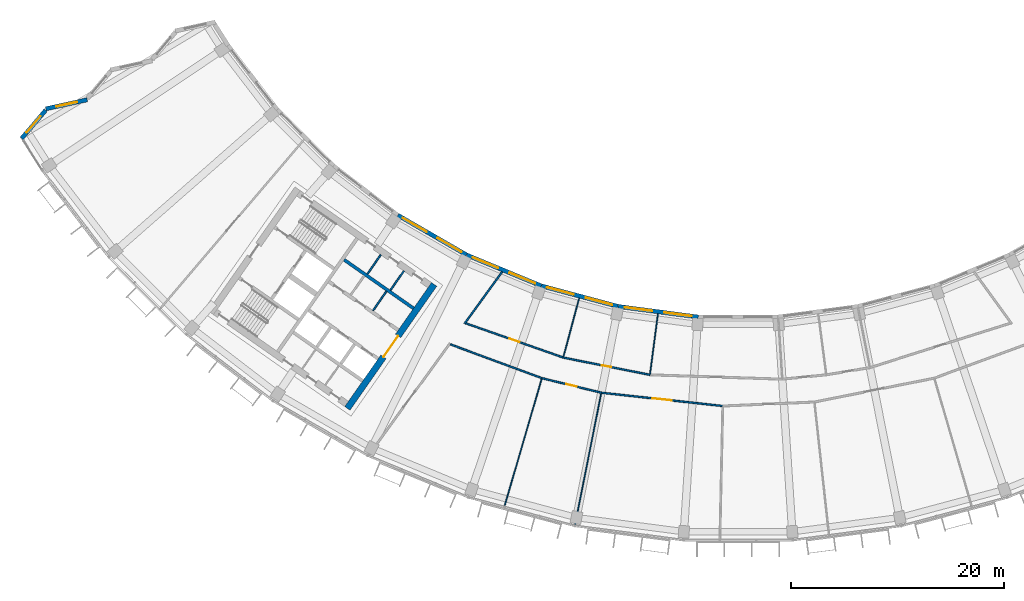
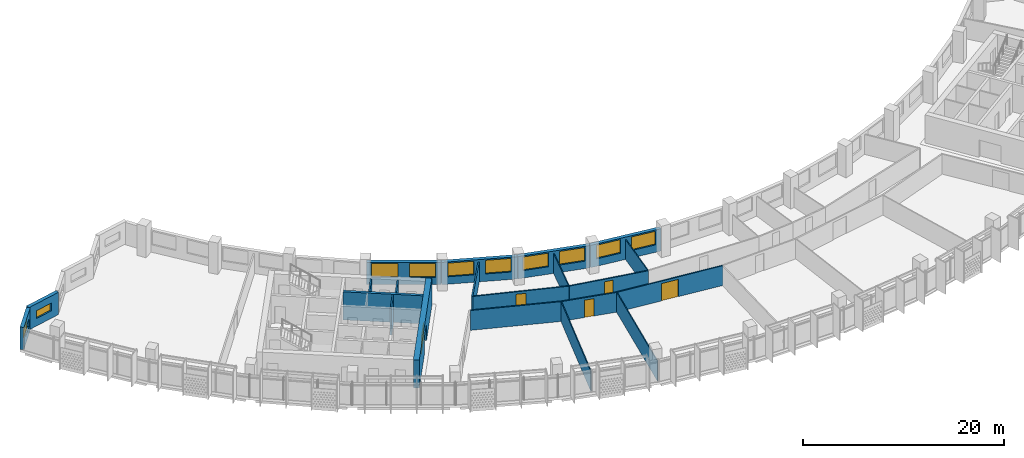
# One storey, part 4 of 28: 21 walls, 10 windows, 5 doors, 15 openings.
"""IFC4 building model written with IfcOpenShell, lengths in metres."""

from ifc_helpers import new_model, si_unit, direction, frame, frame_2d, origin, place, context, subcontext, project, spatial, rectangle, extrude, material, layer, layer_set, type_object, element, fill, save


model = new_model("IFC4")

# Units and contexts
model_context = context("Model", 3, precision=1e-05, world=origin(), true_north=direction((0.0, 1.0)))
body_context = subcontext(model_context, "Body", "Model", "MODEL_VIEW")
ifc_project = project(units=[si_unit("LENGTHUNIT", "METRE"), si_unit("AREAUNIT", "SQUARE_METRE"), si_unit("VOLUMEUNIT", "CUBIC_METRE"), si_unit("PLANEANGLEUNIT", "RADIAN"), si_unit("MASSUNIT", "GRAM", prefix="KILO")], contexts=[model_context])

# Site, building, storey
site_placement = place(None, origin())
site = spatial("IfcSite", under=ifc_project, at=site_placement, CompositionType="ELEMENT")
building_placement = place(site_placement, origin())
building = spatial("IfcBuilding", under=site, at=building_placement, Name="Qamariyya Broadcast Tower", CompositionType="ELEMENT")
storey_placement = place(building_placement, frame((0.0, 0.0, 249.300048828125)))
storey = spatial("IfcBuildingStorey", under=building, at=storey_placement, Name="L60", CompositionType="ELEMENT", Elevation=249.300048828125)

# Wall, opening, door
ifc_material_1 = material(Name="Concrete C60/75", Category="concrete")
ifc_layer_1 = layer(ifc_material_1, 0.60009765625)
ifc_layer_set_1 = layer_set([ifc_layer_1], Name="Core wall 600 mm Concrete C60/75")
wall_type_1 = type_object("IfcWallType", Name="Core wall 600 mm Concrete C60/75", PredefinedType="SHEAR", material=ifc_layer_set_1)
wall_1_placement = place(storey_placement, frame((-36.66748046875, -66.005126953125, 0.0), z_axis=(0.0, 0.0, 1.0), x_axis=(0.573568499524, 0.819157601658, 0.0)))
wall_1 = element("IfcWall", 1, at=wall_1_placement, inside=storey, type_object=wall_type_1, Name="k-W-L60-WA", PredefinedType="SHEAR", context=body_context, shape_type="SweptSolid", body=[
    extrude(rectangle(XDim=14.19970703125, YDim=0.60009765625, at=frame_2d((7.099853515625, 0.0))), origin(), (0.0, 0.0, 1.0), 3.39990234375),
])
opening_1_placement = place(wall_1_placement, frame((5.89990234375, 0.0, 0.0)))
opening_1 = element("IfcOpeningElement", 2, at=opening_1_placement, cuts=wall_1, Name="Opening KD3-W1", PredefinedType="OPENING", context=body_context, shape_type="SweptSolid", body=[
    extrude(rectangle(XDim=2.39990234375, YDim=2.10009765625, at=frame_2d((1.199951171875, 1.050048828125))), frame((0.0, 0.31005859375, 0.0), z_axis=(0.0, -1.0, 0.0), x_axis=(1.0, 0.0, 0.0)), (0.0, 0.0, 1.0), 0.6201171875),
])
ifc_material_2 = material(Name="Steel fire-resisting door leaf", Category="steel")
door_type_1 = type_object("IfcDoorType", Name="Lift lobby door KD3", OperationType="DOUBLE_DOOR_SINGLE_SWING", PredefinedType="DOOR", material=ifc_material_2)
door_1_placement = place(opening_1_placement, origin())
door_1 = element("IfcDoor", 3, at=door_1_placement, inside=storey, type_object=door_type_1, Name="k-W-L60-WA-D1", OperationType="DOUBLE_DOOR_SINGLE_SWING", OverallHeight=2.10009765625, OverallWidth=2.39990234375, PredefinedType="DOOR", context=body_context, shape_type="SweptSolid", body=[
    extrude(rectangle(XDim=2.39990234375, YDim=2.10009765625, at=frame_2d((1.199951171875, 1.050048828125))), frame((0.0, 0.02490234375, 0.0), z_axis=(0.0, -1.0, 0.0), x_axis=(1.0, 0.0, 0.0)), (0.0, 0.0, 1.0), 0.050048828125),
])
fill(opening_1, door_1)

# Wall
ifc_material_3 = material(Name="Gypsum board partition")
ifc_layer_2 = layer(ifc_material_3, 0.14990234375)
ifc_layer_set_2 = layer_set([ifc_layer_2], Name="Corridor partition 150 EI 60")
wall_type_2 = type_object("IfcWallType", Name="Corridor partition 150 EI 60", PredefinedType="PARTITIONING", material=ifc_layer_set_2)
wall_2_placement = place(storey_placement, frame((-27.00732421875, -59.996337890625, 0.0), z_axis=(0.0, 0.0, 1.0), x_axis=(0.938039704857, -0.34652779414, 0.0)))
element("IfcWall", 4, at=wall_2_placement, inside=storey, type_object=wall_type_2, Name="Partition L60-003", PredefinedType="PARTITIONING", context=body_context, shape_type="SweptSolid", body=[
    extrude(rectangle(XDim=9.160400390625, YDim=0.14990234375, at=frame_2d((4.580078125, 0.0))), origin(), (0.0, 0.0, 1.0), 2.39990234375),
])

# Wall, opening, door
wall_3_placement = place(storey_placement, frame((-25.56103515625, -58.0126953125, 0.0), z_axis=(0.0, 0.0, 1.0), x_axis=(0.943087830275, -0.332543748081, 0.0)))
wall_3 = element("IfcWall", 5, at=wall_3_placement, inside=storey, type_object=wall_type_2, Name="Partition L60-004", PredefinedType="PARTITIONING", context=body_context, shape_type="SweptSolid", body=[
    extrude(rectangle(XDim=9.7041015625, YDim=0.14990234375, at=frame_2d((4.85205078125, 0.0))), origin(), (0.0, 0.0, 1.0), 2.39990234375),
])
opening_2_placement = place(wall_3_placement, frame((4.35205078125, 0.0, 0.0)))
opening_2 = element("IfcOpeningElement", 6, at=opening_2_placement, cuts=wall_3, Name="Opening L60-D07", PredefinedType="OPENING", context=body_context, shape_type="SweptSolid", body=[
    extrude(rectangle(XDim=1.0, YDim=2.10009765625, at=frame_2d((0.5, 1.050048828125))), frame((0.0, 0.0849609375, 0.0), z_axis=(0.0, -1.0, 0.0), x_axis=(1.0, 0.0, 0.0)), (0.0, 0.0, 1.0), 0.169921875),
])
ifc_material_4 = material(Name="Timber fire door leaf", Category="wood")
door_type_2 = type_object("IfcDoorType", Name="Fire door 1000 x 2100 FD60", OperationType="NOTDEFINED", PredefinedType="DOOR", material=ifc_material_4)
door_2_placement = place(opening_2_placement, origin())
door_2 = element("IfcDoor", 7, at=door_2_placement, inside=storey, type_object=door_type_2, Name="Door L60-D07", OperationType="SINGLE_SWING_RIGHT", OverallHeight=2.10009765625, OverallWidth=1.0, PredefinedType="DOOR", context=body_context, shape_type="SweptSolid", body=[
    extrude(rectangle(XDim=1.0, YDim=2.10009765625, at=frame_2d((0.5, 1.050048828125))), frame((0.0, 0.02490234375, 0.0), z_axis=(0.0, -1.0, 0.0), x_axis=(1.0, 0.0, 0.0)), (0.0, 0.0, 1.0), 0.050048828125),
])
fill(opening_2, door_2)

# Wall
wall_4_placement = place(storey_placement, frame((-22.135498046875, -53.1943359375, 0.0), z_axis=(0.0, 0.0, 1.0), x_axis=(-0.589297062476, -0.807916438846, 0.0)))
element("IfcWall", 8, at=wall_4_placement, inside=storey, type_object=wall_type_2, Name="Partition L60-006", PredefinedType="PARTITIONING", context=body_context, shape_type="SweptSolid", body=[
    extrude(rectangle(XDim=6.008056640625, YDim=0.14990234375, at=frame_2d((3.00390625, 0.0))), origin(), (0.0, 0.0, 1.0), 2.39990234375),
])

# Wall, opening, door
wall_5_placement = place(storey_placement, frame((-12.8369140625, -64.53564453125, 0.0), z_axis=(0.0, 0.0, 1.0), x_axis=(-0.971335989794, 0.237710737938, 0.0)))
wall_5 = element("IfcWall", 9, at=wall_5_placement, inside=storey, type_object=wall_type_2, Name="Partition L60-007", PredefinedType="PARTITIONING", context=body_context, shape_type="SweptSolid", body=[
    extrude(rectangle(XDim=5.7421875, YDim=0.14990234375, at=frame_2d((2.87109375, 0.0))), origin(), (0.0, 0.0, 1.0), 2.39990234375),
])
opening_3_placement = place(wall_5_placement, frame((2.37109375, 0.0, 0.0)))
opening_3 = element("IfcOpeningElement", 10, at=opening_3_placement, cuts=wall_5, Name="Opening L60-D02", PredefinedType="OPENING", context=body_context, shape_type="SweptSolid", body=[
    extrude(rectangle(XDim=1.0, YDim=2.10009765625, at=frame_2d((0.5, 1.050048828125))), frame((0.0, 0.0849609375, 0.0), z_axis=(0.0, -1.0, 0.0), x_axis=(1.0, 0.0, 0.0)), (0.0, 0.0, 1.0), 0.169921875),
])
door_3_placement = place(opening_3_placement, origin())
door_3 = element("IfcDoor", 11, at=door_3_placement, inside=storey, type_object=door_type_2, Name="Door L60-D02", OperationType="SINGLE_SWING_RIGHT", OverallHeight=2.10009765625, OverallWidth=1.0, PredefinedType="DOOR", context=body_context, shape_type="SweptSolid", body=[
    extrude(rectangle(XDim=1.0, YDim=2.10009765625, at=frame_2d((0.5, 1.050048828125))), frame((0.0, 0.02490234375, 0.0), z_axis=(0.0, -1.0, 0.0), x_axis=(1.0, 0.0, 0.0)), (0.0, 0.0, 1.0), 0.050048828125),
])
fill(opening_3, door_3)

wall_6_placement = place(storey_placement, frame((-16.4091796875, -61.23974609375, 0.0), z_axis=(0.0, 0.0, 1.0), x_axis=(0.98078508005, -0.195091329256, 0.0)))
wall_6 = element("IfcWall", 12, at=wall_6_placement, inside=storey, type_object=wall_type_2, Name="Partition L60-008", PredefinedType="PARTITIONING", context=body_context, shape_type="SweptSolid", body=[
    extrude(rectangle(XDim=8.293212890625, YDim=0.14990234375, at=frame_2d((4.146484375, 0.0))), origin(), (0.0, 0.0, 1.0), 2.39990234375),
])
opening_4_placement = place(wall_6_placement, frame((3.696533203125, 0.0, 0.0)))
opening_4 = element("IfcOpeningElement", 13, at=opening_4_placement, cuts=wall_6, Name="Opening L60-D08", PredefinedType="OPENING", context=body_context, shape_type="SweptSolid", body=[
    extrude(rectangle(XDim=0.89990234375, YDim=2.10009765625, at=frame_2d((0.449951171875, 1.050048828125))), frame((0.0, 0.0849609375, 0.0), z_axis=(0.0, -1.0, 0.0), x_axis=(1.0, 0.0, 0.0)), (0.0, 0.0, 1.0), 0.169921875),
])
door_type_3 = type_object("IfcDoorType", Name="Fire door 900 x 2100 FD60", OperationType="NOTDEFINED", PredefinedType="DOOR", material=ifc_material_4)
door_4_placement = place(opening_4_placement, origin())
door_4 = element("IfcDoor", 14, at=door_4_placement, inside=storey, type_object=door_type_3, Name="Door L60-D08", OperationType="SINGLE_SWING_RIGHT", OverallHeight=2.10009765625, OverallWidth=0.89990234375, PredefinedType="DOOR", context=body_context, shape_type="SweptSolid", body=[
    extrude(rectangle(XDim=0.89990234375, YDim=2.10009765625, at=frame_2d((0.449951171875, 1.050048828125))), frame((0.0, 0.02490234375, 0.0), z_axis=(0.0, -1.0, 0.0), x_axis=(1.0, 0.0, 0.0)), (0.0, 0.0, 1.0), 0.050048828125),
])
fill(opening_4, door_4)

wall_7_placement = place(storey_placement, frame((-1.437255859375, -65.7841796875, 0.0), z_axis=(0.0, 0.0, 1.0), x_axis=(-0.994055682006, 0.108872866549, 0.0)))
wall_7 = element("IfcWall", 15, at=wall_7_placement, inside=storey, type_object=wall_type_2, Name="Partition L60-011", PredefinedType="PARTITIONING", context=body_context, shape_type="SweptSolid", body=[
    extrude(rectangle(XDim=11.4677734375, YDim=0.14990234375, at=frame_2d((5.73388671875, 0.0))), origin(), (0.0, 0.0, 1.0), 2.39990234375),
])
opening_5_placement = place(wall_7_placement, frame((4.833984375, 0.0, 0.0)))
opening_5 = element("IfcOpeningElement", 16, at=opening_5_placement, cuts=wall_7, Name="Opening L60-D03", PredefinedType="OPENING", context=body_context, shape_type="SweptSolid", body=[
    extrude(rectangle(XDim=1.800048828125, YDim=2.10009765625, at=frame_2d((0.89990234375, 1.050048828125))), frame((0.0, 0.0849609375, 0.0), z_axis=(0.0, -1.0, 0.0), x_axis=(1.0, 0.0, 0.0)), (0.0, 0.0, 1.0), 0.169921875),
])
door_type_4 = type_object("IfcDoorType", Name="Double fire door 1800 x 2100 FD60", OperationType="NOTDEFINED", PredefinedType="DOOR", material=ifc_material_4)
door_5_placement = place(opening_5_placement, origin())
door_5 = element("IfcDoor", 17, at=door_5_placement, inside=storey, type_object=door_type_4, Name="Door L60-D03", OperationType="DOUBLE_DOOR_SINGLE_SWING", OverallHeight=2.10009765625, OverallWidth=1.800048828125, PredefinedType="DOOR", context=body_context, shape_type="SweptSolid", body=[
    extrude(rectangle(XDim=1.800048828125, YDim=2.10009765625, at=frame_2d((0.89990234375, 1.050048828125))), frame((0.0, 0.02490234375, 0.0), z_axis=(0.0, -1.0, 0.0), x_axis=(1.0, 0.0, 0.0)), (0.0, 0.0, 1.0), 0.050048828125),
])
fill(opening_5, door_5)

# Walls
ifc_material_5 = material(Name="Gypsum board partition on steel studs", Category="steel")
ifc_layer_3 = layer(ifc_material_5, 0.14990234375)
ifc_layer_set_3 = layer_set([ifc_layer_3], Name="Gypsum board partition 150 mm")
wall_type_3 = type_object("IfcWallType", Name="Gypsum board partition 150 mm", PredefinedType="PARTITIONING", material=ifc_layer_set_3)
wall_8_placement = place(storey_placement, frame((-34.26611328125, -56.822021484375, 0.0), z_axis=(0.0, 0.0, 1.0), x_axis=(0.573581496053, 0.819148501424, 0.0)))
element("IfcWall", 18, at=wall_8_placement, inside=storey, type_object=wall_type_3, Name="k-W-L60-NC300", PredefinedType="PARTITIONING", context=body_context, shape_type="SweptSolid", body=[
    extrude(rectangle(XDim=2.2001953125, YDim=0.14990234375, at=frame_2d((1.10009765625, 0.0))), origin(), (0.0, 0.0, 1.0), 3.39990234375),
])
for number, where, z_axis, x_axis, name in (
    (19, (-32.627197265625, -54.91748046875, 0.0), (0.0, 0.0, 1.0), (0.573507030513, 0.819200638399, 0.0), "k-W-L60-NP275"),
    (20, (-34.798095703125, -53.3974609375, 0.0), (0.0, 0.0, 1.0), (0.573633636671, 0.819111989218, 0.0), "k-W-L60-NP540"),
):
    element("IfcWall", number, at=place(storey_placement, frame(where, z_axis=z_axis, x_axis=x_axis)), inside=storey, type_object=wall_type_3, Name=name, PredefinedType="PARTITIONING", context=body_context, shape_type="SweptSolid", body=[
        extrude(rectangle(XDim=2.199951171875, YDim=0.14990234375, at=frame_2d((1.10009765625, 0.0))), origin(), (0.0, 0.0, 1.0), 3.39990234375),
    ])
ifc_layer_4 = layer(ifc_material_1, 0.300048828125)
ifc_layer_set_4 = layer_set([ifc_layer_4], Name="Lift shaft wall 300 mm Concrete C60/75")
wall_type_4 = type_object("IfcWallType", Name="Lift shaft wall 300 mm Concrete C60/75", PredefinedType="SOLIDWALL", material=ifc_layer_set_4)
wall_9_placement = place(storey_placement, frame((-30.460693359375, -56.61767578125, 0.0), z_axis=(0.0, 0.0, 1.0), x_axis=(-0.819142461705, 0.573590121456, 0.0)))
element("IfcWall", 21, at=wall_9_placement, inside=storey, type_object=wall_type_4, Name="k-W-L60-NB0", PredefinedType="SOLIDWALL", context=body_context, shape_type="SweptSolid", body=[
    extrude(rectangle(XDim=7.949951171875, YDim=0.300048828125, at=frame_2d((3.97509765625, 0.0))), origin(), (0.0, 0.0, 1.0), 3.39990234375),
])
ifc_layer_5 = layer(ifc_material_3, 0.10009765625)
ifc_layer_set_5 = layer_set([ifc_layer_5], Name="Partition 100")
wall_type_5 = type_object("IfcWallType", Name="Partition 100", PredefinedType="PARTITIONING", material=ifc_layer_set_5)
wall_10_placement = place(storey_placement, frame((-21.912841796875, -75.171630859375, 0.0), z_axis=(0.0, 0.0, 1.0), x_axis=(0.27985286912, 0.96004290094, 0.0)))
element("IfcWall", 22, at=wall_10_placement, inside=storey, type_object=wall_type_5, Name="Partition L60-005", PredefinedType="PARTITIONING", context=body_context, shape_type="SweptSolid", body=[
    extrude(rectangle(XDim=12.425537109375, YDim=0.10009765625, at=frame_2d((6.212890625, 0.0))), origin(), (0.0, 0.0, 1.0), 2.39990234375),
])
wall_11_placement = place(storey_placement, frame((-15.304931640625, -76.942626953125, 0.0), z_axis=(0.0, 0.0, 1.0), x_axis=(0.195096765563, 0.98078399868, 0.0)))
element("IfcWall", 23, at=wall_11_placement, inside=storey, type_object=wall_type_5, Name="Partition L60-009", PredefinedType="PARTITIONING", context=body_context, shape_type="SweptSolid", body=[
    extrude(rectangle(XDim=12.5751953125, YDim=0.10009765625, at=frame_2d((6.28759765625, 0.0))), origin(), (0.0, 0.0, 1.0), 2.39990234375),
])
for number, where, z_axis, x_axis, name in (
    (24, (-14.9150390625, -55.66357421875, 0.0), (0.0, 0.0, 1.0), (-0.258803907589, -0.965929882247, 0.0), "Partition L60-010"),
    (25, (-7.52197265625, -57.13427734375, 0.0), (0.0, 0.0, 1.0), (-0.130518800749, -0.991445834451, 0.0), "Partition L60-013"),
):
    element("IfcWall", number, at=place(storey_placement, frame(where, z_axis=z_axis, x_axis=x_axis)), inside=storey, type_object=wall_type_5, Name=name, PredefinedType="PARTITIONING", context=body_context, shape_type="SweptSolid", body=[
        extrude(rectangle(XDim=5.69775390625, YDim=0.10009765625, at=frame_2d((2.848876953125, 0.0))), origin(), (0.0, 0.0, 1.0), 2.39990234375),
    ])

# Wall, opening, window
ifc_material_6 = material(Name="Terracotta", Category="masonry")
ifc_layer_6 = layer(ifc_material_6, 0.39990234375)
ifc_layer_set_6 = layer_set([ifc_layer_6], Name="Terracotta clad wall 400")
wall_type_6 = type_object("IfcWallType", Name="Terracotta clad wall 400", PredefinedType="SOLIDWALL", material=ifc_layer_set_6)
wall_12_placement = place(storey_placement, frame((-61.0830078125, -37.0419921875, 0.0), z_axis=(0.0, 0.0, 1.0), x_axis=(-0.977008789236, -0.213199028505, 0.0)))
wall_12 = element("IfcWall", 26, at=wall_12_placement, inside=storey, type_object=wall_type_6, Name="e-wl-L60-capW4", PredefinedType="SOLIDWALL", context=body_context, shape_type="SweptSolid", body=[
    extrude(rectangle(XDim=3.978271484375, YDim=0.39990234375, at=frame_2d((1.9892578125, 0.0))), origin(), (0.0, 0.0, 1.0), 2.699951171875),
])
opening_6_placement = place(wall_12_placement, frame((0.989013671875, 0.0, 0.89990234375)))
opening_6 = element("IfcOpeningElement", 27, at=opening_6_placement, cuts=wall_12, Name="Opening W4", PredefinedType="OPENING", context=body_context, shape_type="SweptSolid", body=[
    extrude(rectangle(XDim=2.0, YDim=0.949951171875, at=frame_2d((1.0, 0.47509765625))), frame((0.0, 0.2099609375, 0.0), z_axis=(0.0, -1.0, 0.0), x_axis=(1.0, 0.0, 0.0)), (0.0, 0.0, 1.0), 0.419921875),
])
ifc_material_7 = material(Name="Clear low-e double glazed unit in aluminium frame", Category="aluminium")
window_type_1 = type_object("IfcWindowType", Name="Horn bay window 2000 x 950", PartitioningType="SINGLE_PANEL", PredefinedType="WINDOW", material=ifc_material_7)
window_1_placement = place(opening_6_placement, origin())
window_1 = element("IfcWindow", 28, at=window_1_placement, inside=storey, type_object=window_type_1, Name="e-w-L60-capW4", OverallHeight=0.949951171875, OverallWidth=2.0, PartitioningType="SINGLE_PANEL", PredefinedType="WINDOW", context=body_context, shape_type="SweptSolid", body=[
    extrude(rectangle(XDim=2.0, YDim=0.949951171875, at=frame_2d((1.0, 0.47509765625))), frame((0.0, 0.030029296875, 0.0), z_axis=(0.0, -1.0, 0.0), x_axis=(1.0, 0.0, 0.0)), (0.0, 0.0, 1.0), 0.06005859375),
])
fill(opening_6, window_1)

wall_13_placement = place(storey_placement, frame((-64.992431640625, -38.029541015625, 0.0), z_axis=(0.0, 0.0, 1.0), x_axis=(-0.647293256068, -0.762241064656, 0.0)))
wall_13 = element("IfcWall", 29, at=wall_13_placement, inside=storey, type_object=wall_type_6, Name="e-wl-L60-capW5", PredefinedType="SOLIDWALL", context=body_context, shape_type="SweptSolid", body=[
    extrude(rectangle(XDim=3.47265625, YDim=0.39990234375, at=frame_2d((1.736328125, 0.0))), origin(), (0.0, 0.0, 1.0), 2.699951171875),
])
opening_7_placement = place(wall_13_placement, frame((0.736083984375, 0.0, 0.89990234375)))
opening_7 = element("IfcOpeningElement", 30, at=opening_7_placement, cuts=wall_13, Name="Opening W4", PredefinedType="OPENING", context=body_context, shape_type="SweptSolid", body=[
    extrude(rectangle(XDim=2.0, YDim=0.949951171875, at=frame_2d((1.0, 0.47509765625))), frame((0.0, 0.2099609375, 0.0), z_axis=(0.0, -1.0, 0.0), x_axis=(1.0, 0.0, 0.0)), (0.0, 0.0, 1.0), 0.419921875),
])
window_2_placement = place(opening_7_placement, origin())
window_2 = element("IfcWindow", 31, at=window_2_placement, inside=storey, type_object=window_type_1, Name="e-w-L60-capW5", OverallHeight=0.949951171875, OverallWidth=2.0, PartitioningType="SINGLE_PANEL", PredefinedType="WINDOW", context=body_context, shape_type="SweptSolid", body=[
    extrude(rectangle(XDim=2.0, YDim=0.949951171875, at=frame_2d((1.0, 0.47509765625))), frame((0.0, 0.030029296875, 0.0), z_axis=(0.0, -1.0, 0.0), x_axis=(1.0, 0.0, 0.0)), (0.0, 0.0, 1.0), 0.06005859375),
])
fill(opening_7, window_2)

# Wall, openings, windows
wall_14_placement = place(storey_placement, frame((-25.497802734375, -51.590087890625, 0.0), z_axis=(0.0, 0.0, 1.0), x_axis=(-0.866021353871, 0.500007014591, 0.0)))
wall_14 = element("IfcWall", 32, at=wall_14_placement, inside=storey, type_object=wall_type_6, Name="e-wl-L60-in40", PredefinedType="SOLIDWALL", context=body_context, shape_type="SweptSolid", body=[
    extrude(rectangle(XDim=7.4267578125, YDim=0.39990234375, at=frame_2d((3.71337890625, 0.0))), origin(), (0.0, 0.0, 1.0), 2.699951171875),
])
opening_8_placement = place(wall_14_placement, frame((4.28857421875, 0.0, 0.89990234375)))
opening_8 = element("IfcOpeningElement", 33, at=opening_8_placement, cuts=wall_14, Name="Opening W1", PredefinedType="OPENING", context=body_context, shape_type="SweptSolid", body=[
    extrude(rectangle(XDim=2.60009765625, YDim=1.64990234375, at=frame_2d((1.300048828125, 0.824951171875))), frame((0.0, 0.2099609375, 0.0), z_axis=(0.0, -1.0, 0.0), x_axis=(1.0, 0.0, 0.0)), (0.0, 0.0, 1.0), 0.419921875),
])
opening_9_placement = place(wall_14_placement, frame((0.537841796875, 0.0, 0.89990234375)))
opening_9 = element("IfcOpeningElement", 34, at=opening_9_placement, cuts=wall_14, Name="Opening W1", PredefinedType="OPENING", context=body_context, shape_type="SweptSolid", body=[
    extrude(rectangle(XDim=2.60009765625, YDim=1.64990234375, at=frame_2d((1.300048828125, 0.824951171875))), frame((0.0, 0.2099609375, 0.0), z_axis=(0.0, -1.0, 0.0), x_axis=(1.0, 0.0, 0.0)), (0.0, 0.0, 1.0), 0.419921875),
])
window_type_2 = type_object("IfcWindowType", Name="Ribbon window 2600 x 1650", PartitioningType="SINGLE_PANEL", PredefinedType="WINDOW", material=ifc_material_7)
window_3_placement = place(opening_8_placement, origin())
window_3 = element("IfcWindow", 35, at=window_3_placement, inside=storey, type_object=window_type_2, Name="e-w-L60-in04-0", OverallHeight=1.64990234375, OverallWidth=2.60009765625, PartitioningType="SINGLE_PANEL", PredefinedType="WINDOW", context=body_context, shape_type="SweptSolid", body=[
    extrude(rectangle(XDim=2.60009765625, YDim=1.64990234375, at=frame_2d((1.300048828125, 0.824951171875))), frame((0.0, 0.030029296875, 0.0), z_axis=(0.0, -1.0, 0.0), x_axis=(1.0, 0.0, 0.0)), (0.0, 0.0, 1.0), 0.06005859375),
])
fill(opening_8, window_3)
window_4_placement = place(opening_9_placement, origin())
window_4 = element("IfcWindow", 36, at=window_4_placement, inside=storey, type_object=window_type_2, Name="e-w-L60-in04-1", OverallHeight=1.64990234375, OverallWidth=2.60009765625, PartitioningType="SINGLE_PANEL", PredefinedType="WINDOW", context=body_context, shape_type="SweptSolid", body=[
    extrude(rectangle(XDim=2.60009765625, YDim=1.64990234375, at=frame_2d((1.300048828125, 0.824951171875))), frame((0.0, 0.030029296875, 0.0), z_axis=(0.0, -1.0, 0.0), x_axis=(1.0, 0.0, 0.0)), (0.0, 0.0, 1.0), 0.06005859375),
])
fill(opening_9, window_4)

wall_15_placement = place(storey_placement, frame((-18.475830078125, -54.505859375, 0.0), z_axis=(0.0, 0.0, 1.0), x_axis=(-0.923884115122, 0.382672368777, 0.0)))
wall_15 = element("IfcWall", 37, at=wall_15_placement, inside=storey, type_object=wall_type_6, Name="e-wl-L60-in50", PredefinedType="SOLIDWALL", context=body_context, shape_type="SweptSolid", body=[
    extrude(rectangle(XDim=7.578125, YDim=0.39990234375, at=frame_2d((3.7890625, 0.0))), origin(), (0.0, 0.0, 1.0), 2.699951171875),
])
opening_10_placement = place(wall_15_placement, frame((4.364501953125, 0.0, 0.89990234375)))
opening_10 = element("IfcOpeningElement", 38, at=opening_10_placement, cuts=wall_15, Name="Opening W1", PredefinedType="OPENING", context=body_context, shape_type="SweptSolid", body=[
    extrude(rectangle(XDim=2.60009765625, YDim=1.64990234375, at=frame_2d((1.300048828125, 0.824951171875))), frame((0.0, 0.2099609375, 0.0), z_axis=(0.0, -1.0, 0.0), x_axis=(1.0, 0.0, 0.0)), (0.0, 0.0, 1.0), 0.419921875),
])
opening_11_placement = place(wall_15_placement, frame((0.613525390625, 0.0, 0.89990234375)))
opening_11 = element("IfcOpeningElement", 39, at=opening_11_placement, cuts=wall_15, Name="Opening W1", PredefinedType="OPENING", context=body_context, shape_type="SweptSolid", body=[
    extrude(rectangle(XDim=2.60009765625, YDim=1.64990234375, at=frame_2d((1.300048828125, 0.824951171875))), frame((0.0, 0.2099609375, 0.0), z_axis=(0.0, -1.0, 0.0), x_axis=(1.0, 0.0, 0.0)), (0.0, 0.0, 1.0), 0.419921875),
])
window_5_placement = place(opening_10_placement, origin())
window_5 = element("IfcWindow", 40, at=window_5_placement, inside=storey, type_object=window_type_2, Name="e-w-L60-in05-0", OverallHeight=1.64990234375, OverallWidth=2.60009765625, PartitioningType="SINGLE_PANEL", PredefinedType="WINDOW", context=body_context, shape_type="SweptSolid", body=[
    extrude(rectangle(XDim=2.60009765625, YDim=1.64990234375, at=frame_2d((1.300048828125, 0.824951171875))), frame((0.0, 0.030029296875, 0.0), z_axis=(0.0, -1.0, 0.0), x_axis=(1.0, 0.0, 0.0)), (0.0, 0.0, 1.0), 0.06005859375),
])
fill(opening_10, window_5)
window_6_placement = place(opening_11_placement, origin())
window_6 = element("IfcWindow", 41, at=window_6_placement, inside=storey, type_object=window_type_2, Name="e-w-L60-in05-1", OverallHeight=1.64990234375, OverallWidth=2.60009765625, PartitioningType="SINGLE_PANEL", PredefinedType="WINDOW", context=body_context, shape_type="SweptSolid", body=[
    extrude(rectangle(XDim=2.60009765625, YDim=1.64990234375, at=frame_2d((1.300048828125, 0.824951171875))), frame((0.0, 0.030029296875, 0.0), z_axis=(0.0, -1.0, 0.0), x_axis=(1.0, 0.0, 0.0)), (0.0, 0.0, 1.0), 0.06005859375),
])
fill(opening_11, window_6)

wall_16_placement = place(storey_placement, frame((-11.276611328125, -56.431396484375, 0.0), z_axis=(0.0, 0.0, 1.0), x_axis=(-0.965924866111, 0.25882262851, 0.0)))
wall_16 = element("IfcWall", 42, at=wall_16_placement, inside=storey, type_object=wall_type_6, Name="e-wl-L60-in60", PredefinedType="SOLIDWALL", context=body_context, shape_type="SweptSolid", body=[
    extrude(rectangle(XDim=7.426513671875, YDim=0.39990234375, at=frame_2d((3.71337890625, 0.0))), origin(), (0.0, 0.0, 1.0), 2.699951171875),
])
opening_12_placement = place(wall_16_placement, frame((4.28857421875, 0.0, 0.89990234375)))
opening_12 = element("IfcOpeningElement", 43, at=opening_12_placement, cuts=wall_16, Name="Opening W1", PredefinedType="OPENING", context=body_context, shape_type="SweptSolid", body=[
    extrude(rectangle(XDim=2.60009765625, YDim=1.64990234375, at=frame_2d((1.300048828125, 0.824951171875))), frame((0.0, 0.2099609375, 0.0), z_axis=(0.0, -1.0, 0.0), x_axis=(1.0, 0.0, 0.0)), (0.0, 0.0, 1.0), 0.419921875),
])
opening_13_placement = place(wall_16_placement, frame((0.537841796875, 0.0, 0.89990234375)))
opening_13 = element("IfcOpeningElement", 44, at=opening_13_placement, cuts=wall_16, Name="Opening W1", PredefinedType="OPENING", context=body_context, shape_type="SweptSolid", body=[
    extrude(rectangle(XDim=2.60009765625, YDim=1.64990234375, at=frame_2d((1.300048828125, 0.824951171875))), frame((0.0, 0.2099609375, 0.0), z_axis=(0.0, -1.0, 0.0), x_axis=(1.0, 0.0, 0.0)), (0.0, 0.0, 1.0), 0.419921875),
])
window_7_placement = place(opening_12_placement, origin())
window_7 = element("IfcWindow", 45, at=window_7_placement, inside=storey, type_object=window_type_2, Name="e-w-L60-in06-0", OverallHeight=1.64990234375, OverallWidth=2.60009765625, PartitioningType="SINGLE_PANEL", PredefinedType="WINDOW", context=body_context, shape_type="SweptSolid", body=[
    extrude(rectangle(XDim=2.60009765625, YDim=1.64990234375, at=frame_2d((1.300048828125, 0.824951171875))), frame((0.0, 0.030029296875, 0.0), z_axis=(0.0, -1.0, 0.0), x_axis=(1.0, 0.0, 0.0)), (0.0, 0.0, 1.0), 0.06005859375),
])
fill(opening_12, window_7)
window_8_placement = place(opening_13_placement, origin())
window_8 = element("IfcWindow", 46, at=window_8_placement, inside=storey, type_object=window_type_2, Name="e-w-L60-in06-1", OverallHeight=1.64990234375, OverallWidth=2.60009765625, PartitioningType="SINGLE_PANEL", PredefinedType="WINDOW", context=body_context, shape_type="SweptSolid", body=[
    extrude(rectangle(XDim=2.60009765625, YDim=1.64990234375, at=frame_2d((1.300048828125, 0.824951171875))), frame((0.0, 0.030029296875, 0.0), z_axis=(0.0, -1.0, 0.0), x_axis=(1.0, 0.0, 0.0)), (0.0, 0.0, 1.0), 0.06005859375),
])
fill(opening_13, window_8)

wall_17_placement = place(storey_placement, frame((-3.7392578125, -57.430419921875, 0.0), z_axis=(0.0, 0.0, 1.0), x_axis=(-0.991446288508, 0.130515351599, 0.0)))
wall_17 = element("IfcWall", 47, at=wall_17_placement, inside=storey, type_object=wall_type_6, Name="e-wl-L60-in70", PredefinedType="SOLIDWALL", context=body_context, shape_type="SweptSolid", body=[
    extrude(rectangle(XDim=7.57763671875, YDim=0.39990234375, at=frame_2d((3.788818359375, 0.0))), origin(), (0.0, 0.0, 1.0), 2.699951171875),
])
opening_14_placement = place(wall_17_placement, frame((4.364501953125, 0.0, 0.89990234375)))
opening_14 = element("IfcOpeningElement", 48, at=opening_14_placement, cuts=wall_17, Name="Opening W1", PredefinedType="OPENING", context=body_context, shape_type="SweptSolid", body=[
    extrude(rectangle(XDim=2.60009765625, YDim=1.64990234375, at=frame_2d((1.300048828125, 0.824951171875))), frame((0.0, 0.2099609375, 0.0), z_axis=(0.0, -1.0, 0.0), x_axis=(1.0, 0.0, 0.0)), (0.0, 0.0, 1.0), 0.419921875),
])
opening_15_placement = place(wall_17_placement, frame((0.613525390625, 0.0, 0.89990234375)))
opening_15 = element("IfcOpeningElement", 49, at=opening_15_placement, cuts=wall_17, Name="Opening W1", PredefinedType="OPENING", context=body_context, shape_type="SweptSolid", body=[
    extrude(rectangle(XDim=2.60009765625, YDim=1.64990234375, at=frame_2d((1.300048828125, 0.824951171875))), frame((0.0, 0.2099609375, 0.0), z_axis=(0.0, -1.0, 0.0), x_axis=(1.0, 0.0, 0.0)), (0.0, 0.0, 1.0), 0.419921875),
])
window_9_placement = place(opening_14_placement, origin())
window_9 = element("IfcWindow", 50, at=window_9_placement, inside=storey, type_object=window_type_2, Name="e-w-L60-in07-0", OverallHeight=1.64990234375, OverallWidth=2.60009765625, PartitioningType="SINGLE_PANEL", PredefinedType="WINDOW", context=body_context, shape_type="SweptSolid", body=[
    extrude(rectangle(XDim=2.60009765625, YDim=1.64990234375, at=frame_2d((1.300048828125, 0.824951171875))), frame((0.0, 0.030029296875, 0.0), z_axis=(0.0, -1.0, 0.0), x_axis=(1.0, 0.0, 0.0)), (0.0, 0.0, 1.0), 0.06005859375),
])
fill(opening_14, window_9)
window_10_placement = place(opening_15_placement, origin())
window_10 = element("IfcWindow", 51, at=window_10_placement, inside=storey, type_object=window_type_2, Name="e-w-L60-in07-1", OverallHeight=1.64990234375, OverallWidth=2.60009765625, PartitioningType="SINGLE_PANEL", PredefinedType="WINDOW", context=body_context, shape_type="SweptSolid", body=[
    extrude(rectangle(XDim=2.60009765625, YDim=1.64990234375, at=frame_2d((1.300048828125, 0.824951171875))), frame((0.0, 0.030029296875, 0.0), z_axis=(0.0, -1.0, 0.0), x_axis=(1.0, 0.0, 0.0)), (0.0, 0.0, 1.0), 0.06005859375),
])
fill(opening_15, window_10)

save(model, "model.ifc")
